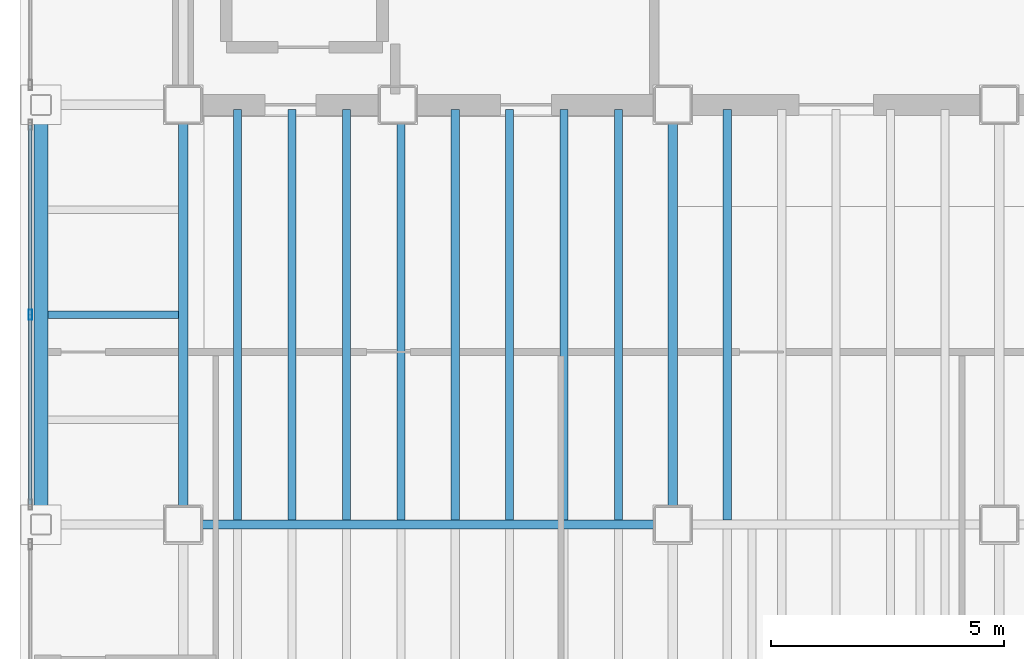
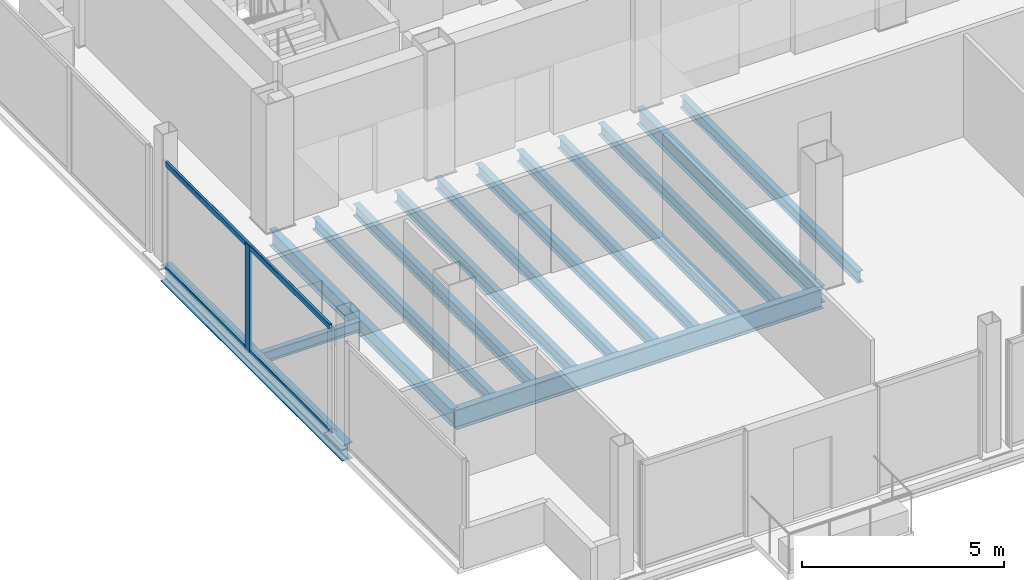
# One storey, part 3 of 15: 14 beams, 3 members, 1 element without a shape of its own.
"""IFC4 building model written with IfcOpenShell, lengths in metres."""

import ifcopenshell
import ifcopenshell.guid

model = None  # the IFC model being written
_history = None  # IfcOwnerHistory: only IFC2X3 demands one
_inside = {}  # id of a spatial element -> (the spatial element, [elements in it])
_under = {}  # id of a project, library or spatial element -> (it, [spatial elements below it])
_declared = {}  # id of a project -> (the project, [libraries it declares])
_typed = {}  # id of a type object -> (the type object, [elements of that type])
_made_of = {}  # id of a material, layer set ... -> (it, [elements and type objects made of it])


def new_model(schema):
    """Start an empty IFC model of exactly this schema.

    Asked for "IFC4X3", IfcOpenShell would pick the latest addendum, in which some entities
    have other attributes; the version numbers below select the first issue.
    IFC2X3 requires an IfcOwnerHistory on every rooted entity: one is made here for all.
    """
    global model, _history
    if schema == "IFC4X3":
        model = ifcopenshell.file(schema_version=(4, 3, 0, 0))
    else:
        model = ifcopenshell.file(schema=schema)
    _inside.clear()
    _under.clear()
    _declared.clear()
    _typed.clear()
    _made_of.clear()
    _history = None
    if model.schema == "IFC2X3":
        org = make("IfcOrganization", Name="unknown")
        user = make(
            "IfcPersonAndOrganization",
            ThePerson=make("IfcPerson", FamilyName="unknown"),
            TheOrganization=org,
        )
        app = make(
            "IfcApplication",
            ApplicationDeveloper=org,
            Version="unknown",
            ApplicationFullName="unknown",
            ApplicationIdentifier="unknown",
        )
        _history = make(
            "IfcOwnerHistory",
            OwningUser=user,
            OwningApplication=app,
            ChangeAction="ADDED",
            CreationDate=0,
        )
    return model


def make(cls, **values):
    """One entity of the class cls with the attributes given. An attribute that is None is left unset."""
    return model.create_entity(
        cls, **{name: value for name, value in values.items() if value is not None}
    )


def rooted(cls, **values):
    """An entity with a GlobalId (a new one), such as an element, a storey or a relation."""
    return make(cls, GlobalId=ifcopenshell.guid.new(), OwnerHistory=_history, **values)


def si_unit(unit_type, name, prefix=None):
    """IfcSIUnit, for example si_unit("LENGTHUNIT", "METRE", prefix="MILLI")."""
    return make("IfcSIUnit", UnitType=unit_type, Prefix=prefix, Name=name)


def assignment(units):
    """IfcUnitAssignment: the units of a project."""
    return None if units is None else make("IfcUnitAssignment", Units=units)


def point(xyz):
    """IfcCartesianPoint."""
    return None if xyz is None else make("IfcCartesianPoint", Coordinates=xyz)


def direction(xyz):
    """IfcDirection."""
    return None if xyz is None else make("IfcDirection", DirectionRatios=xyz)


def frame(location, z_axis=None, x_axis=None):
    """IfcAxis2Placement3D, a coordinate frame: its origin and axes. An axis left out is left unset."""
    return make(
        "IfcAxis2Placement3D",
        Location=point(location),
        Axis=direction(z_axis),
        RefDirection=direction(x_axis),
    )


def frame_2d(location, x_axis=None):
    """IfcAxis2Placement2D, a coordinate frame in the plane: its origin and x axis."""
    return make(
        "IfcAxis2Placement2D", Location=point(location), RefDirection=direction(x_axis)
    )


def origin():
    """The frame at (0, 0, 0) with its axes left unset."""
    return frame((0.0, 0.0, 0.0))


def origin_2d():
    """The frame at (0, 0) in the plane with its x axis left unset."""
    return frame_2d((0.0, 0.0))


def place(relative_to, where):
    """IfcLocalPlacement: puts the frame where relative to a parent placement (None: the world)."""
    return make(
        "IfcLocalPlacement", PlacementRelTo=relative_to, RelativePlacement=where
    )


def context(
    kind, dimensions, precision=None, world=None, true_north=None, identifier=None
):
    """IfcGeometricRepresentationContext, for example the 3D "Model" context."""
    return make(
        "IfcGeometricRepresentationContext",
        ContextIdentifier=identifier,
        ContextType=kind,
        CoordinateSpaceDimension=dimensions,
        Precision=precision,
        WorldCoordinateSystem=world,
        TrueNorth=true_north,
    )


def subcontext(parent, identifier, kind, view, scale=None):
    """IfcGeometricRepresentationSubContext, for example "Body" below "Model"."""
    return make(
        "IfcGeometricRepresentationSubContext",
        ContextIdentifier=identifier,
        ContextType=kind,
        ParentContext=parent,
        TargetScale=scale,
        TargetView=view,
    )


def project(units=None, contexts=None):
    """IfcProject with its units and contexts."""
    return rooted(
        "IfcProject",
        Name="project",
        RepresentationContexts=contexts,
        UnitsInContext=assignment(units),
    )


def spatial(cls, under=None, at=None, **own):
    """A site, building, storey or space (cls), placed at a placement, below another one or the project."""
    s = rooted(cls, ObjectPlacement=at, **own)
    if under is not None:
        _under.setdefault(under.id(), (under, []))[1].append(s)
    return s


def profile(cls, at=None, kind="AREA", **sizes):
    """A parametric profile (cls). Its sizes go by their IFC names, for example OverallWidth=200.0."""
    return make(cls, ProfileType=kind, Position=at, **sizes)


def hollow_rectangle(**sizes):
    """IfcRectangleHollowProfileDef."""
    return profile("IfcRectangleHollowProfileDef", **sizes)


def i_section(**sizes):
    """IfcIShapeProfileDef."""
    return profile("IfcIShapeProfileDef", **sizes)


def extrude(swept, where, along, depth):
    """IfcExtrudedAreaSolid: the profile swept, set in the frame where, extruded along a direction by depth."""
    return make(
        "IfcExtrudedAreaSolid",
        SweptArea=swept,
        Position=where,
        ExtrudedDirection=direction(along),
        Depth=depth,
    )


def shape(context_of_items, identifier, shape_type, items):
    """IfcShapeRepresentation: the items that make up one representation, for example the "Body"."""
    return make(
        "IfcShapeRepresentation",
        ContextOfItems=context_of_items,
        RepresentationIdentifier=identifier,
        RepresentationType=shape_type,
        Items=items,
    )


def material(Name=None, Category=None):
    """IfcMaterial."""
    return make("IfcMaterial", Name=Name, Category=Category)


def material_profile(
    of_material, cross_section, Name=None, Category=None, Priority=None
):
    """IfcMaterialProfile: a cross section and its material."""
    return make(
        "IfcMaterialProfile",
        Name=Name,
        Material=of_material,
        Profile=cross_section,
        Priority=Priority,
        Category=Category,
    )


def profile_set(profiles, Name=None, composite=None):
    """IfcMaterialProfileSet."""
    return make(
        "IfcMaterialProfileSet",
        Name=Name,
        MaterialProfiles=profiles,
        CompositeProfile=composite,
    )


def made_of(thing, what):
    """Note that an element or type object is made of a material, layer set ...; save() writes the relation."""
    if what is not None:
        _made_of.setdefault(what.id(), (what, []))[1].append(thing)
    return thing


def type_object(cls, material=None, **own):
    """A type object (cls), such as IfcWallType, which elements share."""
    return made_of(rooted(cls, **own), material)


def element(
    cls,
    number,
    at=None,
    inside=None,
    cuts=None,
    type_object=None,
    material=None,
    context=None,
    identifier="Body",
    shape_type=None,
    held_by="IfcProductDefinitionShape",
    body=None,
    shapes=None,
    **own,
):
    """One element of the class cls, such as IfcWall. Its Tag is "e" and its number.

    at: its placement. inside: the storey or other place that contains it. cuts: it is an
    opening in that element (IfcRelVoidsElement). A single representation is given by context,
    identifier, shape_type and body (its items); several are given by shapes. held_by: the class
    of the entity that holds the representations. save() writes the other relations.
    """
    e = rooted(cls, Tag="e%d" % number, ObjectPlacement=at, **own)
    if body is not None:
        shapes = [shape(context, identifier, shape_type, body)]
    if shapes is not None:
        e.Representation = make(held_by, Representations=shapes)
    if inside is not None:
        _inside.setdefault(inside.id(), (inside, []))[1].append(e)
    if cuts is not None:
        rooted(
            "IfcRelVoidsElement", RelatingBuildingElement=cuts, RelatedOpeningElement=e
        )
    if type_object is not None:
        _typed.setdefault(type_object.id(), (type_object, []))[1].append(e)
    return made_of(e, material)


def aggregate(whole, parts):
    """IfcRelAggregates: a whole, such as a stair, and the parts it consists of."""
    return rooted("IfcRelAggregates", RelatingObject=whole, RelatedObjects=parts)


def save(model, path):
    """Write the relations noted so far, then the file.

    IfcRelAggregates (storeys below a building ...), IfcRelContainedInSpatialStructure (elements
    in a storey), IfcRelDefinesByType, IfcRelAssociatesMaterial and IfcRelDeclares: one each for
    every whole, place, type object, material and project.
    """
    for whole, parts in _under.values():
        aggregate(whole, parts)
    for where, things in _inside.values():
        rooted(
            "IfcRelContainedInSpatialStructure",
            RelatedElements=things,
            RelatingStructure=where,
        )
    for kind, things in _typed.values():
        rooted("IfcRelDefinesByType", RelatedObjects=things, RelatingType=kind)
    for what, things in _made_of.values():
        rooted("IfcRelAssociatesMaterial", RelatedObjects=things, RelatingMaterial=what)
    for by, libraries in _declared.values():
        rooted("IfcRelDeclares", RelatingContext=by, RelatedDefinitions=libraries)
    model.write(path)


model = new_model("IFC4")

# Units and contexts
model_context = context("Model", 3, precision=1e-05, world=origin(), true_north=direction((0.0, 1.0)))
body_context = subcontext(model_context, "Body", "Model", "MODEL_VIEW")
ifc_project = project(units=[si_unit("LENGTHUNIT", "METRE"), si_unit("AREAUNIT", "SQUARE_METRE"), si_unit("VOLUMEUNIT", "CUBIC_METRE"), si_unit("PLANEANGLEUNIT", "RADIAN"), si_unit("MASSUNIT", "GRAM", prefix="KILO")], contexts=[model_context])

# Site, building, storey
site_placement = place(None, origin())
site = spatial("IfcSite", under=ifc_project, at=site_placement, CompositionType="ELEMENT")
building_placement = place(site_placement, origin())
building = spatial("IfcBuilding", under=site, at=building_placement, Name="Noeulbin Bourse Tower", CompositionType="ELEMENT")
storey_placement = place(building_placement, frame((0.0, 0.0, 215.0)))
storey = spatial("IfcBuildingStorey", under=building, at=storey_placement, Name="L53", CompositionType="ELEMENT", Elevation=215.0)

# Beams
ifc_material_1 = material(Name="Steel S355", Category="steel")
ifc_material_profile_1 = material_profile(ifc_material_1, i_section(OverallWidth=0.199951171875, OverallDepth=0.5, WebThickness=0.010009765625, FlangeThickness=0.01611328125, FilletRadius=0.02001953125, at=origin_2d()), Name="H-500x200x10x16", Category="LoadBearing")
ifc_profile_set_1 = profile_set([ifc_material_profile_1], Name="Steel S355")
beam_type_1 = type_object("IfcBeamType", Name="BM-GRD-500", PredefinedType="USERDEFINED", material=ifc_profile_set_1)
for number, where, z_axis, x_axis, name in (
    (1, (13.5, 20.0, -0.429931640625), (0.0, 1.0, 0.0), (-1.0, 0.0, 0.0), "Tower Primary Girder NS L53-1.2"),
    (2, (24.0, 20.0, -0.429931640625), (0.0, 1.0, 0.0), (-1.0, 0.0, 0.0), "Tower Primary Girder NS L53-2.2"),
):
    element("IfcBeam", number, at=place(storey_placement, frame(where, z_axis=z_axis, x_axis=x_axis)), inside=storey, type_object=beam_type_1, Name=name, ObjectType="GIRDER", PredefinedType="USERDEFINED", context=body_context, shape_type="SweptSolid", body=[
        extrude(i_section(OverallWidth=0.199951171875, OverallDepth=0.5, WebThickness=0.010009765625, FlangeThickness=0.01611328125, FilletRadius=0.02001953125, at=origin_2d()), origin(), (0.0, 0.0, 1.0), 9.0),
    ])
ifc_material_profile_2 = material_profile(ifc_material_1, i_section(OverallWidth=0.199951171875, OverallDepth=0.60009765625, WebThickness=0.010986328125, FlangeThickness=0.01708984375, FilletRadius=0.02197265625, at=origin_2d()), Name="H-600x200x11x17", Category="LoadBearing")
ifc_profile_set_2 = profile_set([ifc_material_profile_2], Name="Steel S355")
beam_type_2 = type_object("IfcBeamType", Name="BM-GRD-600", PredefinedType="USERDEFINED", material=ifc_profile_set_2)
beam_1_placement = place(storey_placement, frame((13.5, 20.0, -0.47998046875), z_axis=(1.0, 0.0, 0.0), x_axis=(0.0, 1.0, 0.0)))
element("IfcBeam", 3, at=beam_1_placement, inside=storey, type_object=beam_type_2, Name="Tower Primary Girder EW L53-1.2", ObjectType="GIRDER", PredefinedType="USERDEFINED", context=body_context, shape_type="SweptSolid", body=[
    extrude(i_section(OverallWidth=0.199951171875, OverallDepth=0.60009765625, WebThickness=0.010986328125, FlangeThickness=0.01708984375, FilletRadius=0.02197265625, at=origin_2d()), origin(), (0.0, 0.0, 1.0), 10.5),
])
ifc_material_profile_3 = material_profile(ifc_material_1, i_section(OverallWidth=0.159912109375, OverallDepth=0.320068359375, WebThickness=0.006591796875, FlangeThickness=0.010009765625, FilletRadius=0.012939453125, at=origin_2d()), Name="H-320x160x6.5x10", Category="LoadBearing")
ifc_profile_set_3 = profile_set([ifc_material_profile_3], Name="Steel S355")
beam_type_3 = type_object("IfcBeamType", Name="BM-JST-320", PredefinedType="JOIST", material=ifc_profile_set_3)
beam_2_placement = place(storey_placement, frame((10.60009765625, 24.5, -0.340087890625), z_axis=(1.0, 0.0, 0.0), x_axis=(0.0, 1.0, 0.0)))
element("IfcBeam", 4, at=beam_2_placement, inside=storey, type_object=beam_type_3, Name="Wing Composite Joist L53-W48", PredefinedType="JOIST", context=body_context, shape_type="SweptSolid", body=[
    extrude(i_section(OverallWidth=0.159912109375, OverallDepth=0.320068359375, WebThickness=0.006591796875, FlangeThickness=0.010009765625, FilletRadius=0.012939453125, at=origin_2d()), origin(), (0.0, 0.0, 1.0), 2.7998046875),
])
ifc_material_profile_4 = material_profile(ifc_material_1, i_section(OverallWidth=0.175048828125, OverallDepth=0.35009765625, WebThickness=0.007080078125, FlangeThickness=0.010986328125, FilletRadius=0.013916015625, at=origin_2d()), Name="H-350x175x7x11", Category="LoadBearing")
ifc_profile_set_4 = profile_set([ifc_material_profile_4], Name="Steel S355")
beam_type_4 = type_object("IfcBeamType", Name="BM-JST-350", PredefinedType="JOIST", material=ifc_profile_set_4)
for number, where, z_axis, x_axis, name in (
    (5, (14.666748046875, 20.10009765625, -0.35498046875), (0.0, 1.0, 0.0), (-1.0, 0.0, 0.0), "Tower Composite Joist L53-02"),
    (6, (15.833251953125, 20.10009765625, -0.35498046875), (0.0, 1.0, 0.0), (-1.0, 0.0, 0.0), "Tower Composite Joist L53-04"),
    (7, (17.0, 20.10009765625, -0.35498046875), (0.0, 1.0, 0.0), (-1.0, 0.0, 0.0), "Tower Composite Joist L53-06"),
    (8, (18.166748046875, 20.10009765625, -0.35498046875), (0.0, 1.0, 0.0), (-1.0, 0.0, 0.0), "Tower Composite Joist L53-08"),
    (9, (19.333251953125, 20.10009765625, -0.35498046875), (0.0, 1.0, 0.0), (-1.0, 0.0, 0.0), "Tower Composite Joist L53-10"),
    (10, (20.5, 20.10009765625, -0.35498046875), (0.0, 1.0, 0.0), (-1.0, 0.0, 0.0), "Tower Composite Joist L53-12"),
    (11, (21.666748046875, 20.10009765625, -0.35498046875), (0.0, 1.0, 0.0), (-1.0, 0.0, 0.0), "Tower Composite Joist L53-14"),
    (12, (22.833251953125, 20.10009765625, -0.35498046875), (0.0, 1.0, 0.0), (-1.0, 0.0, 0.0), "Tower Composite Joist L53-16"),
    (13, (25.166748046875, 20.10009765625, -0.35498046875), (0.0, 1.0, 0.0), (-1.0, 0.0, 0.0), "Tower Composite Joist L53-18"),
):
    element("IfcBeam", number, at=place(storey_placement, frame(where, z_axis=z_axis, x_axis=x_axis)), inside=storey, type_object=beam_type_4, Name=name, PredefinedType="JOIST", context=body_context, shape_type="SweptSolid", body=[
        extrude(i_section(OverallWidth=0.175048828125, OverallDepth=0.35009765625, WebThickness=0.007080078125, FlangeThickness=0.010986328125, FilletRadius=0.013916015625, at=origin_2d()), origin(), (0.0, 0.0, 1.0), 8.7998046875),
    ])
ifc_material_profile_5 = material_profile(ifc_material_1, i_section(OverallWidth=0.300048828125, OverallDepth=0.488037109375, WebThickness=0.010986328125, FlangeThickness=0.01806640625, FilletRadius=0.02197265625, at=origin_2d()), Name="H-488x300x11x18", Category="LoadBearing")
ifc_profile_set_5 = profile_set([ifc_material_profile_5], Name="Steel S355")
beam_type_5 = type_object("IfcBeamType", Name="BM-SPN-488", PredefinedType="SPANDREL", material=ifc_profile_set_5)
beam_3_placement = place(storey_placement, frame((10.449951171875, 20.0, -0.424072265625), z_axis=(0.0, 1.0, 0.0), x_axis=(-1.0, 0.0, 0.0)))
element("IfcBeam", 14, at=beam_3_placement, inside=storey, type_object=beam_type_5, Name="West Spandrel L53-1", PredefinedType="SPANDREL", context=body_context, shape_type="SweptSolid", body=[
    extrude(i_section(OverallWidth=0.300048828125, OverallDepth=0.488037109375, WebThickness=0.010986328125, FlangeThickness=0.01806640625, FilletRadius=0.02197265625, at=origin_2d()), origin(), (0.0, 0.0, 1.0), 9.0),
])

# Curtain wall, members
ifc_material_2 = material(Name="High-Selectivity Low-Iron Glazing", Category="glass")
curtain_wall_type = type_object("IfcCurtainWallType", Name="CW-SYS-4", PredefinedType="NOTDEFINED", material=ifc_material_2)
curtain_wall_placement = place(storey_placement, origin())
curtain_wall = element("IfcCurtainWall", 15, at=curtain_wall_placement, inside=storey, type_object=curtain_wall_type, Name="Unitised Curtain Wall CW-L53-W-S2", PredefinedType="NOTDEFINED")
ifc_material_3 = material(Name="Anodised Aluminium 6063-T6", Category="aluminium")
ifc_material_profile_6 = material_profile(ifc_material_3, hollow_rectangle(XDim=0.074951171875, YDim=0.219970703125, WallThickness=0.0048828125, InnerFilletRadius=0.00244140625, OuterFilletRadius=0.0048828125, at=origin_2d()), Name="ALU-MULL-75x220x5", Category="LoadBearing")
ifc_profile_set_6 = profile_set([ifc_material_profile_6], Name="Anodised Aluminium 6063-T6")
member_type_1 = type_object("IfcMemberType", Name="CW-SYS-4-MUL", PredefinedType="MULLION", material=ifc_profile_set_6)
member_1_placement = place(storey_placement, frame((10.219970703125, 24.5, -0.02001953125), z_axis=(0.0, 0.0, 1.0), x_axis=(1.0, 0.0, 0.0)))
member_1 = element("IfcMember", 16, at=member_1_placement, type_object=member_type_1, Name="Curtain Wall Mullion CW-L53-W-S2-M01", PredefinedType="MULLION", context=body_context, shape_type="SweptSolid", body=[
    extrude(hollow_rectangle(XDim=0.074951171875, YDim=0.219970703125, WallThickness=0.0048828125, InnerFilletRadius=0.00244140625, OuterFilletRadius=0.0048828125, at=origin_2d()), origin(), (0.0, 0.0, 1.0), 3.219970703125),
])
ifc_material_profile_7 = material_profile(ifc_material_3, hollow_rectangle(XDim=0.074951171875, YDim=0.159912109375, WallThickness=0.0048828125, InnerFilletRadius=0.00244140625, OuterFilletRadius=0.0048828125, at=origin_2d()), Name="ALU-TRAN-75x160x5", Category="LoadBearing")
ifc_profile_set_7 = profile_set([ifc_material_profile_7], Name="Anodised Aluminium 6063-T6")
member_type_2 = type_object("IfcMemberType", Name="CW-SYS-4-TRN", PredefinedType="USERDEFINED", material=ifc_profile_set_7)
member_2_placement = place(storey_placement, frame((10.219970703125, 20.43505859375, 0.010009765625), z_axis=(0.0, 1.0, 0.0), x_axis=(-1.0, 0.0, 0.0)))
member_2 = element("IfcMember", 17, at=member_2_placement, type_object=member_type_2, Name="Curtain Wall Transom CW-L53-W-S2-T00", ObjectType="TRANSOM", PredefinedType="USERDEFINED", context=body_context, shape_type="SweptSolid", body=[
    extrude(hollow_rectangle(XDim=0.074951171875, YDim=0.159912109375, WallThickness=0.0048828125, InnerFilletRadius=0.00244140625, OuterFilletRadius=0.0048828125, at=origin_2d()), origin(), (0.0, 0.0, 1.0), 8.1298828125),
])
member_3_placement = place(storey_placement, frame((10.219970703125, 20.43505859375, 3.169921875), z_axis=(0.0, 1.0, 0.0), x_axis=(-1.0, 0.0, 0.0)))
member_3 = element("IfcMember", 18, at=member_3_placement, type_object=member_type_2, Name="Curtain Wall Transom CW-L53-W-S2-T01", ObjectType="TRANSOM", PredefinedType="USERDEFINED", context=body_context, shape_type="SweptSolid", body=[
    extrude(hollow_rectangle(XDim=0.074951171875, YDim=0.159912109375, WallThickness=0.0048828125, InnerFilletRadius=0.00244140625, OuterFilletRadius=0.0048828125, at=origin_2d()), origin(), (0.0, 0.0, 1.0), 8.1298828125),
])
aggregate(curtain_wall, [member_1, member_2, member_3])

save(model, "model.ifc")
